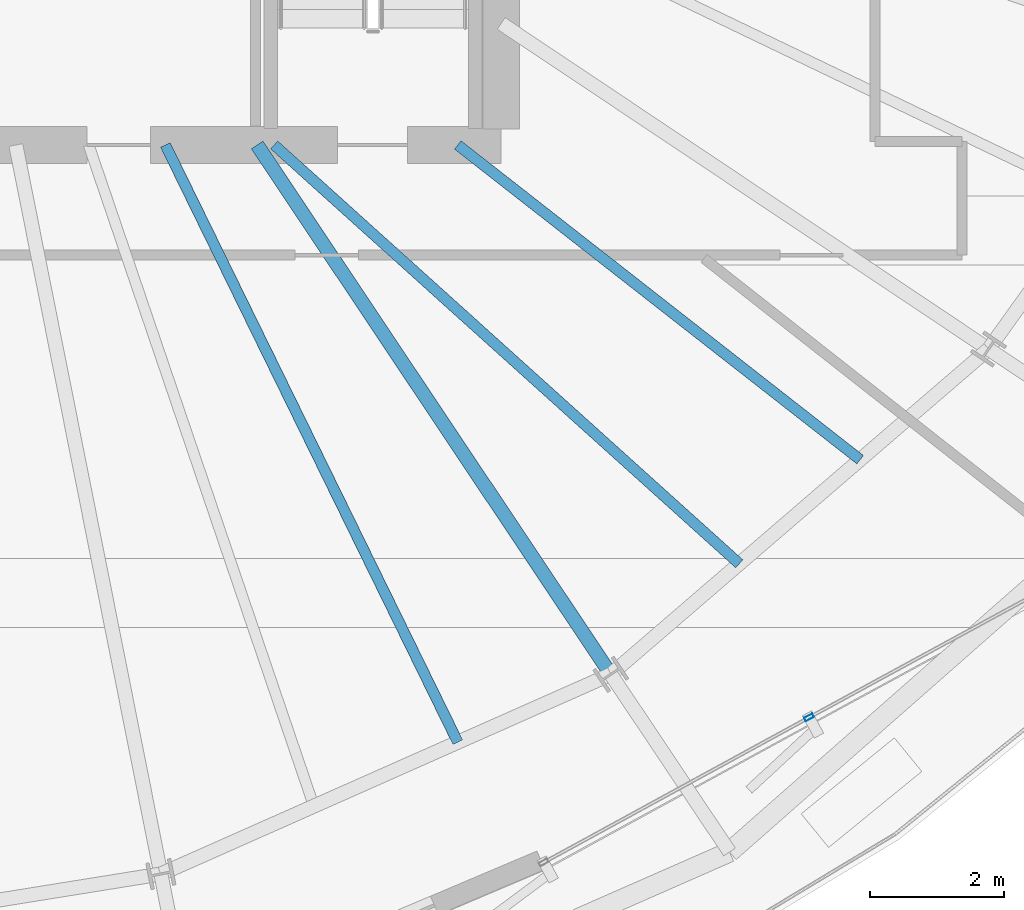
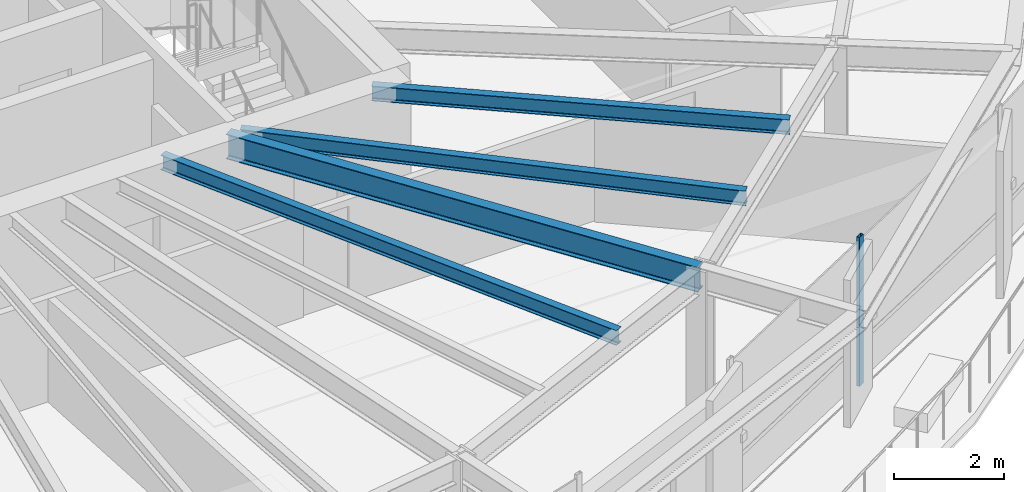
# One storey, part 13 of 36: 4 beams, 1 member, 1 element without a shape of its own.
"""IFC4 building model written with IfcOpenShell, lengths in metres."""

from ifc_helpers import new_model, si_unit, direction, frame, origin, origin_2d, place, context, subcontext, project, spatial, hollow_rectangle, i_section, extrude, source, transform, mapped, material, layer, layer_set, material_profile, profile_set, type_object, element, aggregate, save


model = new_model("IFC4")

# Units and contexts
model_context = context("Model", 3, precision=1e-05, world=origin(), true_north=direction((0.0, 1.0)))
body_context = subcontext(model_context, "Body", "Model", "MODEL_VIEW")
ifc_project = project(units=[si_unit("LENGTHUNIT", "METRE"), si_unit("AREAUNIT", "SQUARE_METRE"), si_unit("VOLUMEUNIT", "CUBIC_METRE"), si_unit("PLANEANGLEUNIT", "RADIAN"), si_unit("MASSUNIT", "GRAM", prefix="KILO"), si_unit("THERMODYNAMICTEMPERATUREUNIT", "KELVIN")], contexts=[model_context])

# Site, building, storey
site_placement = place(None, origin())
site = spatial("IfcSite", under=ifc_project, at=site_placement, CompositionType="ELEMENT")
building_placement = place(site_placement, origin())
building = spatial("IfcBuilding", under=site, at=building_placement, Name="Kethvar Cultural Tower", CompositionType="ELEMENT")
storey_placement = place(building_placement, frame((0.0, 0.0, 143.0)))
storey = spatial("IfcBuildingStorey", under=building, at=storey_placement, Name="L36", CompositionType="ELEMENT", Elevation=143.0)

# Beams
ifc_material_1 = material(Name="Steel S355J2", Category="steel")
ifc_material_profile_1 = material_profile(ifc_material_1, i_section(OverallWidth=0.2099609375, OverallDepth=0.550048828125, WebThickness=0.010986328125, FlangeThickness=0.01708984375, FilletRadius=0.02392578125, at=origin_2d()), Name="Steel S355J2 — IPE550")
ifc_profile_set_1 = profile_set([ifc_material_profile_1], Name="Steel S355J2 — IPE550")
beam_type_1 = type_object("IfcBeamType", Name="BM-IPE550", PredefinedType="BEAM", material=ifc_profile_set_1)
shared_shape_1 = source(origin(), body_context, "Body", "SweptSolid", [
    extrude(i_section(OverallWidth=0.2099609375, OverallDepth=0.550048828125, WebThickness=0.010986328125, FlangeThickness=0.01708984375, FilletRadius=0.02392578125, at=origin_2d()), origin(), (0.0, 0.0, 1.0), 9.534423828125),
])
beam_1_placement = place(storey_placement, frame((51.945068359375, 20.10009765625, 3.02294921875), z_axis=(0.555550817894, -0.831482584747, 0.0), x_axis=(0.831482584747, 0.555550817894, 0.0)))
element("IfcBeam", 1, at=beam_1_placement, inside=storey, type_object=beam_type_1, Name="L36 Primary Radial Beam RB-14", PredefinedType="BEAM", context=body_context, shape_type="MappedRepresentation", body=[
    mapped(shared_shape_1, transform((0.0, 0.0, 0.0), scale=1.0)),
])
ifc_material_profile_2 = material_profile(ifc_material_1, i_section(OverallWidth=0.159912109375, OverallDepth=0.330078125, WebThickness=0.007568359375, FlangeThickness=0.011474609375, FilletRadius=0.01806640625, at=origin_2d()), Name="Steel S355J2 — IPE330")
ifc_profile_set_2 = profile_set([ifc_material_profile_2], Name="Steel S355J2 — IPE330")
beam_type_2 = type_object("IfcBeamType", Name="BM-J330", PredefinedType="JOIST", material=ifc_profile_set_2)
shared_shape_2 = source(origin(), body_context, "Body", "SweptSolid", [
    extrude(i_section(OverallWidth=0.159912109375, OverallDepth=0.330078125, WebThickness=0.007568359375, FlangeThickness=0.011474609375, FilletRadius=0.01806640625, at=origin_2d()), origin(), (0.0, 0.0, 1.0), 9.959228515625),
])
beam_2_placement = place(storey_placement, frame((50.57080078125, 20.10009765625, 3.133056640625), z_axis=(0.439785134514, -0.898103020516, 0.0), x_axis=(0.898103020516, 0.439785134514, 0.0)))
element("IfcBeam", 2, at=beam_2_placement, inside=storey, type_object=beam_type_2, Name="L36 Composite Floor Joist J-13B", PredefinedType="JOIST", context=body_context, shape_type="MappedRepresentation", body=[
    mapped(shared_shape_2, transform((0.0, 0.0, 0.0), scale=1.0)),
])
shared_shape_3 = source(origin(), body_context, "Body", "SweptSolid", [
    extrude(i_section(OverallWidth=0.159912109375, OverallDepth=0.330078125, WebThickness=0.007568359375, FlangeThickness=0.011474609375, FilletRadius=0.01806640625, at=origin_2d()), origin(), (0.0, 0.0, 1.0), 9.372802734375),
])
beam_3_placement = place(storey_placement, frame((52.199951171875, 20.10009765625, 3.133056640625), z_axis=(0.743151656479, -0.669123019685, 0.0), x_axis=(0.669123019685, 0.743151656479, 0.0)))
element("IfcBeam", 3, at=beam_3_placement, inside=storey, type_object=beam_type_2, Name="L36 Composite Floor Joist J-14A", PredefinedType="JOIST", context=body_context, shape_type="MappedRepresentation", body=[
    mapped(shared_shape_3, transform((0.0, 0.0, 0.0), scale=1.0)),
])
shared_shape_4 = source(origin(), body_context, "Body", "SweptSolid", [
    extrude(i_section(OverallWidth=0.159912109375, OverallDepth=0.330078125, WebThickness=0.007568359375, FlangeThickness=0.011474609375, FilletRadius=0.01806640625, at=origin_2d()), origin(), (0.0, 0.0, 1.0), 7.649658203125),
])
beam_4_placement = place(storey_placement, frame((54.949951171875, 20.10009765625, 3.133056640625), z_axis=(0.787671994752, -0.616094821179, 0.0), x_axis=(0.616094821179, 0.787671994752, 0.0)))
element("IfcBeam", 4, at=beam_4_placement, inside=storey, type_object=beam_type_2, Name="L36 Composite Floor Joist J-14B", PredefinedType="JOIST", context=body_context, shape_type="MappedRepresentation", body=[
    mapped(shared_shape_4, transform((0.0, 0.0, 0.0), scale=1.0)),
])

# Curtain wall, member
ifc_material_2 = material(Name="Aluminium 6063-T6", Category="aluminium")
ifc_layer = layer(ifc_material_2, 0.179931640625, Name="Aluminium 6063-T6", Category="aluminium")
ifc_layer_set = layer_set([ifc_layer], Name="Aluminium 6063-T6 (180 mm)")
curtain_wall_type = type_object("IfcCurtainWallType", Name="CW-SYS-04-Z34", PredefinedType="NOTDEFINED", material=ifc_layer_set)
curtain_wall_placement = place(storey_placement, origin())
curtain_wall = element("IfcCurtainWall", 5, at=curtain_wall_placement, inside=storey, type_object=curtain_wall_type, Name="L36 Curtain Wall Run 06", PredefinedType="NOTDEFINED")
ifc_material_profile_3 = material_profile(ifc_material_2, hollow_rectangle(XDim=0.06005859375, YDim=0.139892578125, WallThickness=0.0048828125, at=origin_2d()), Name="Aluminium 6063-T6 — RHS140x60x5")
ifc_profile_set_3 = profile_set([ifc_material_profile_3], Name="Aluminium 6063-T6 — RHS140x60x5")
member_type = type_object("IfcMemberType", Name="CW-SYS-04-Z34-MUL", PredefinedType="MULLION", material=ifc_profile_set_3)
shared_shape_5 = source(origin(), body_context, "Body", "SweptSolid", [
    extrude(hollow_rectangle(XDim=0.06005859375, YDim=0.139892578125, WallThickness=0.0048828125, at=origin_2d()), origin(), (0.0, 0.0, 1.0), 3.300048828125),
])
member_placement = place(storey_placement, frame((60.211181640625, 11.52685546875, 0.0), z_axis=(0.0, 0.0, 1.0), x_axis=(-0.478017474332, 0.878350325458, 0.0)))
member = element("IfcMember", 6, at=member_placement, type_object=member_type, Name="CW-L36-R06 Mullion 2", PredefinedType="MULLION", context=body_context, shape_type="MappedRepresentation", body=[
    mapped(shared_shape_5, transform((0.0, 0.0, 0.0), scale=1.0)),
])
aggregate(curtain_wall, [member])

save(model, "model.ifc")
